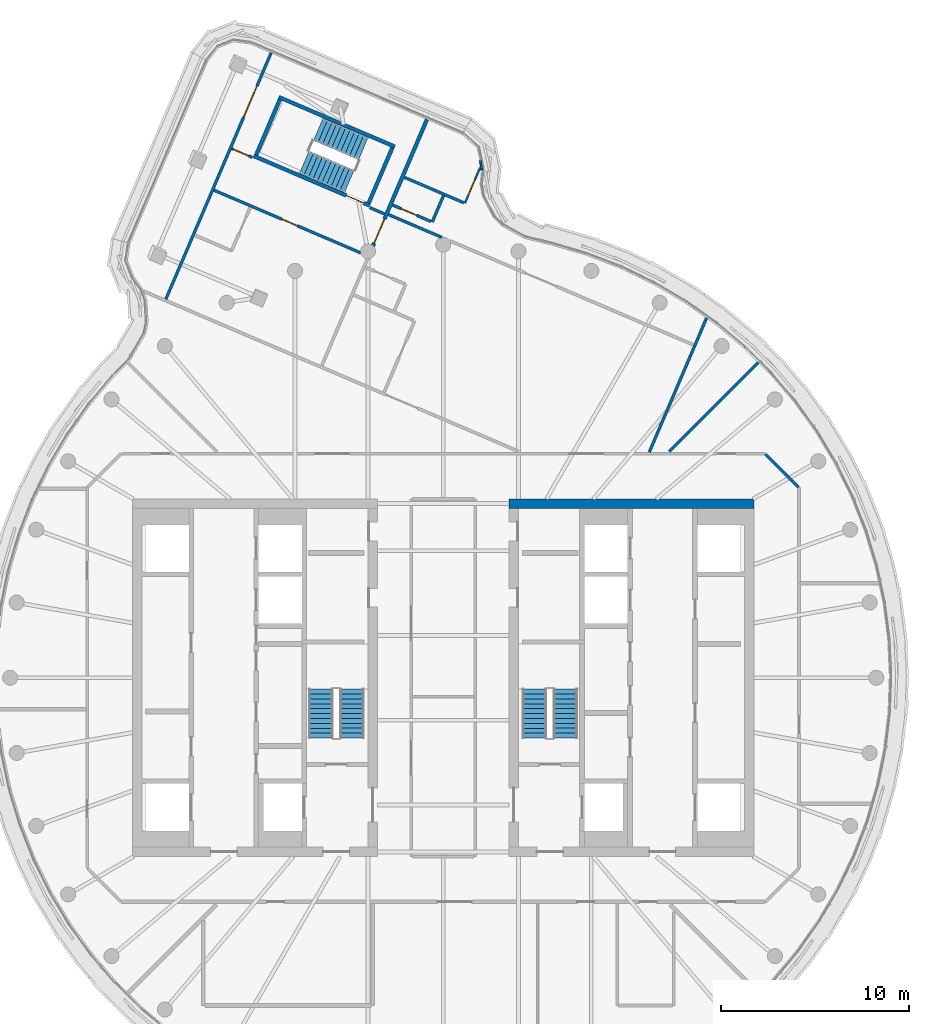
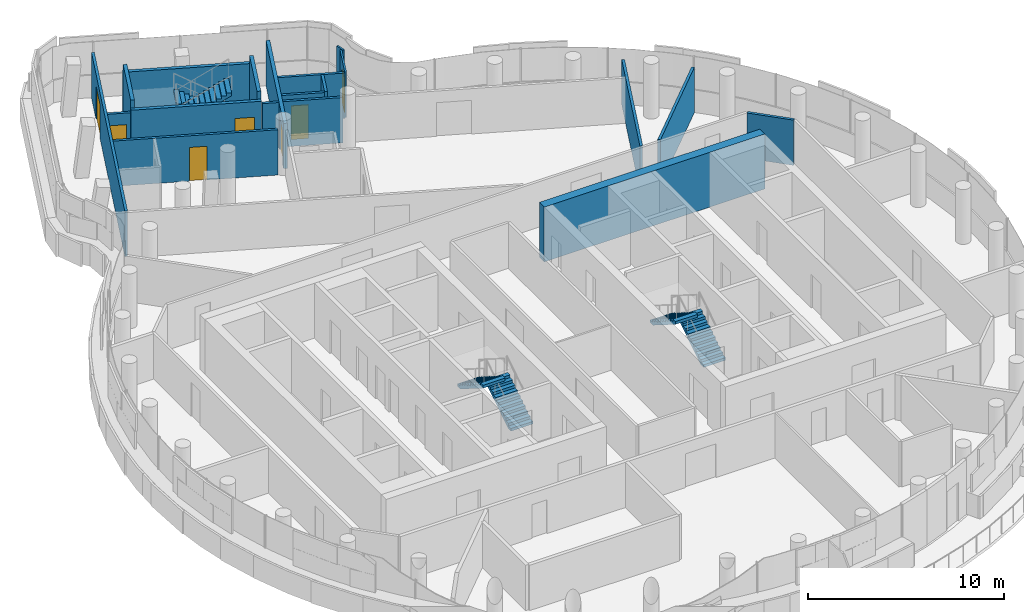
# One storey, part 15 of 20: 19 walls, 7 doors, 6 stair flights, 7 openings, 3 elements without a shape of their own.
"""IFC4 building model written with IfcOpenShell, lengths in metres."""

from ifc_helpers import new_model, si_unit, direction, frame, frame_2d, origin, place, context, subcontext, project, spatial, polyline, rectangle, outline, extrude, material, layer, layer_set, type_object, element, fill, aggregate, save


model = new_model("IFC4")

# Units and contexts
model_context = context("Model", 3, precision=1e-05, world=origin(), true_north=direction((0.0, 1.0)))
body_context = subcontext(model_context, "Body", "Model", "MODEL_VIEW")
ifc_project = project(units=[si_unit("LENGTHUNIT", "METRE"), si_unit("AREAUNIT", "SQUARE_METRE"), si_unit("VOLUMEUNIT", "CUBIC_METRE"), si_unit("PLANEANGLEUNIT", "RADIAN"), si_unit("MASSUNIT", "GRAM", prefix="KILO")], contexts=[model_context])

# Site, building, storey
site_placement = place(None, origin())
site = spatial("IfcSite", under=ifc_project, at=site_placement, CompositionType="ELEMENT")
building_placement = place(site_placement, origin())
building = spatial("IfcBuilding", under=site, at=building_placement, Name="Tamarind Cross Interchange Tower", CompositionType="ELEMENT")
storey_placement = place(building_placement, frame((0.0, 0.0, 274.800048828125)))
storey = spatial("IfcBuildingStorey", under=building, at=storey_placement, Name="L70", CompositionType="ELEMENT", Elevation=274.800048828125)

# Wall
ifc_material_1 = material(Name="Concrete C50", Category="concrete")
ifc_layer_1 = layer(ifc_material_1, 0.5)
ifc_layer_set_1 = layer_set([ifc_layer_1], Name="Concrete C50")
wall_type_1 = type_object("IfcWallType", Name="Core wall 500 mm Concrete C50", PredefinedType="SHEAR", material=ifc_layer_set_1)
wall_1_placement = place(storey_placement, frame((16.5, 9.25, 0.0), z_axis=(0.0, 0.0, 1.0), x_axis=(-1.0, 0.0, 0.0)))
element("IfcWall", 1, at=wall_1_placement, inside=storey, type_object=wall_type_1, Name="Core wall CWL-L70-E-NE", PredefinedType="SHEAR", context=body_context, shape_type="SweptSolid", body=[
    extrude(rectangle(XDim=13.0, YDim=0.5, at=frame_2d((6.5, 0.0))), origin(), (0.0, 0.0, 1.0), 3.419921875),
])

# Wall, opening, door
ifc_material_2 = material(Name="Gypsum board partition on steel studs", Category="steel")
ifc_layer_2 = layer(ifc_material_2, 0.10009765625)
ifc_layer_set_2 = layer_set([ifc_layer_2], Name="Gypsum board partition on steel studs")
wall_type_2 = type_object("IfcWallType", Name="Partition 100 mm EI 90", PredefinedType="PARTITIONING", material=ifc_layer_set_2)
wall_2_placement = place(storey_placement, frame((1.151611328125, 25.205078125, 0.0), z_axis=(0.0, 0.0, 1.0), x_axis=(0.392869839525, 0.919594089363, 0.0)))
wall_2 = element("IfcWall", 2, at=wall_2_placement, inside=storey, type_object=wall_type_2, Name="Partition L70-036", PredefinedType="PARTITIONING", context=body_context, shape_type="SweptSolid", body=[
    extrude(rectangle(XDim=2.050048828125, YDim=0.10009765625, at=frame_2d((1.02490234375, 0.0))), origin(), (0.0, 0.0, 1.0), 2.823974609375),
])
opening_1_placement = place(wall_2_placement, frame((0.449951171875, 0.0, 0.0)))
opening_1 = element("IfcOpeningElement", 3, at=opening_1_placement, cuts=wall_2, Name="Opening D20", PredefinedType="OPENING", context=body_context, shape_type="SweptSolid", body=[
    extrude(rectangle(XDim=0.89990234375, YDim=2.10009765625, at=frame_2d((0.449951171875, 1.050048828125))), frame((0.0, 0.06005859375, 0.0), z_axis=(0.0, -1.0, 0.0), x_axis=(1.0, 0.0, 0.0)), (0.0, 0.0, 1.0), 0.1201171875),
])
ifc_material_3 = material(Name="Fire-resisting door set")
door_type_1 = type_object("IfcDoorType", Name="Interior door 900 x 2100 FD60S", OperationType="SINGLE_SWING_LEFT", PredefinedType="DOOR", material=ifc_material_3)
door_1_placement = place(opening_1_placement, origin())
door_1 = element("IfcDoor", 4, at=door_1_placement, inside=storey, type_object=door_type_1, Name="Door D20", OperationType="SINGLE_SWING_RIGHT", OverallHeight=2.10009765625, OverallWidth=0.89990234375, PredefinedType="DOOR", context=body_context, shape_type="SweptSolid", body=[
    extrude(rectangle(XDim=0.89990234375, YDim=2.10009765625, at=frame_2d((0.449951171875, 1.050048828125))), frame((0.0, 0.02490234375, 0.0), z_axis=(0.0, -1.0, 0.0), x_axis=(1.0, 0.0, 0.0)), (0.0, 0.0, 1.0), 0.050048828125),
])
fill(opening_1, door_1)

# Walls
wall_3_placement = place(storey_placement, frame((2.05419921875, 26.972900390625, 0.0), z_axis=(0.0, 0.0, 1.0), x_axis=(-0.168516403879, 0.985698849357, 0.0)))
element("IfcWall", 5, at=wall_3_placement, inside=storey, type_object=wall_type_2, Name="Partition L70-049", PredefinedType="PARTITIONING", context=body_context, shape_type="SweptSolid", body=[
    extrude(rectangle(XDim=0.499755859375, YDim=0.10009765625, at=frame_2d((0.25, 0.0))), origin(), (0.0, 0.0, 1.0), 2.823974609375),
])
ifc_layer_3 = layer(ifc_material_2, 0.14990234375)
ifc_layer_set_3 = layer_set([ifc_layer_3], Name="Gypsum board partition on steel studs")
wall_type_3 = type_object("IfcWallType", Name="Partition 150 mm EI 120", PredefinedType="PARTITIONING", material=ifc_layer_set_3)
wall_4_placement = place(storey_placement, frame((17.12841796875, 11.87158203125, 0.0), z_axis=(0.0, 0.0, 1.0), x_axis=(0.707106781187, -0.707106781187, 0.0)))
element("IfcWall", 6, at=wall_4_placement, inside=storey, type_object=wall_type_3, Name="Partition L70-004", PredefinedType="PARTITIONING", context=body_context, shape_type="SweptSolid", body=[
    extrude(rectangle(XDim=2.465087890625, YDim=0.14990234375, at=frame_2d((1.232421875, 0.0))), origin(), (0.0, 0.0, 1.0), 2.823974609375),
])

# Wall, opening, door
wall_5_placement = place(storey_placement, frame((-12.173095703125, 25.8955078125, 0.0), z_axis=(0.0, 0.0, 1.0), x_axis=(0.919645111199, -0.392750390767, 0.0)))
wall_5 = element("IfcWall", 7, at=wall_5_placement, inside=storey, type_object=wall_type_3, Name="Partition L70-007", PredefinedType="PARTITIONING", context=body_context, shape_type="SweptSolid", body=[
    extrude(rectangle(XDim=8.471923828125, YDim=0.14990234375, at=frame_2d((4.23583984375, 0.0))), origin(), (0.0, 0.0, 1.0), 2.823974609375),
])
opening_2_placement = place(wall_5_placement, frame((3.9248046875, 0.0, 0.0)))
opening_2 = element("IfcOpeningElement", 8, at=opening_2_placement, cuts=wall_5, Name="Opening D02", PredefinedType="OPENING", context=body_context, shape_type="SweptSolid", body=[
    extrude(rectangle(XDim=0.89990234375, YDim=2.10009765625, at=frame_2d((0.449951171875, 1.050048828125))), frame((0.0, 0.0849609375, 0.0), z_axis=(0.0, -1.0, 0.0), x_axis=(1.0, 0.0, 0.0)), (0.0, 0.0, 1.0), 0.169921875),
])
door_2_placement = place(opening_2_placement, frame((0.89990234375, 0.0, 0.0), z_axis=(0.0, 0.0, 1.0), x_axis=(-1.0, 0.0, 0.0)))
door_2 = element("IfcDoor", 9, at=door_2_placement, inside=storey, type_object=door_type_1, Name="Door D02", OperationType="SINGLE_SWING_RIGHT", OverallHeight=2.10009765625, OverallWidth=0.89990234375, PredefinedType="DOOR", context=body_context, shape_type="SweptSolid", body=[
    extrude(rectangle(XDim=0.89990234375, YDim=2.10009765625, at=frame_2d((0.449951171875, 1.050048828125))), frame((0.0, 0.02490234375, 0.0), z_axis=(0.0, -1.0, 0.0), x_axis=(1.0, 0.0, 0.0)), (0.0, 0.0, 1.0), 0.050048828125),
])
fill(opening_2, door_2)

wall_6_placement = place(storey_placement, frame((-11.22998046875, 28.1025390625, 0.0), z_axis=(0.0, 0.0, 1.0), x_axis=(0.919613431155, -0.392824562927, 0.0)))
wall_6 = element("IfcWall", 10, at=wall_6_placement, inside=storey, type_object=wall_type_3, Name="Partition L70-008", PredefinedType="PARTITIONING", context=body_context, shape_type="SweptSolid", body=[
    extrude(rectangle(XDim=1.1845703125, YDim=0.14990234375, at=frame_2d((0.59228515625, 0.0))), origin(), (0.0, 0.0, 1.0), 2.823974609375),
])
opening_3_placement = place(wall_6_placement, frame((0.074951171875, 0.0, 0.0)))
opening_3 = element("IfcOpeningElement", 11, at=opening_3_placement, cuts=wall_6, Name="Opening D03", PredefinedType="OPENING", context=body_context, shape_type="SweptSolid", body=[
    extrude(rectangle(XDim=0.89990234375, YDim=2.10009765625, at=frame_2d((0.449951171875, 1.050048828125))), frame((0.0, 0.0849609375, 0.0), z_axis=(0.0, -1.0, 0.0), x_axis=(1.0, 0.0, 0.0)), (0.0, 0.0, 1.0), 0.169921875),
])
door_3_placement = place(opening_3_placement, origin())
door_3 = element("IfcDoor", 12, at=door_3_placement, inside=storey, type_object=door_type_1, Name="Door D03", OperationType="SINGLE_SWING_RIGHT", OverallHeight=2.10009765625, OverallWidth=0.89990234375, PredefinedType="DOOR", context=body_context, shape_type="SweptSolid", body=[
    extrude(rectangle(XDim=0.89990234375, YDim=2.10009765625, at=frame_2d((0.449951171875, 1.050048828125))), frame((0.0, 0.02490234375, 0.0), z_axis=(0.0, -1.0, 0.0), x_axis=(1.0, 0.0, 0.0)), (0.0, 0.0, 1.0), 0.050048828125),
])
fill(opening_3, door_3)

# Walls
wall_7_placement = place(storey_placement, frame((-3.905517578125, 24.97314453125, 0.0), z_axis=(0.0, 0.0, 1.0), x_axis=(0.919526501885, -0.393028004512, 0.0)))
element("IfcWall", 13, at=wall_7_placement, inside=storey, type_object=wall_type_3, Name="Partition L70-009", PredefinedType="PARTITIONING", context=body_context, shape_type="SweptSolid", body=[
    extrude(rectangle(XDim=0.859619140625, YDim=0.14990234375, at=frame_2d((0.4296875, 0.0))), origin(), (0.0, 0.0, 1.0), 2.823974609375),
])
wall_8_placement = place(storey_placement, frame((-2.910888671875, 24.602783203125, 0.0), z_axis=(0.0, 0.0, 1.0), x_axis=(0.919582336427, -0.392897348593, 0.0)))
element("IfcWall", 14, at=wall_8_placement, inside=storey, type_object=wall_type_3, Name="Partition L70-012", PredefinedType="PARTITIONING", context=body_context, shape_type="SweptSolid", body=[
    extrude(rectangle(XDim=3.085693359375, YDim=0.14990234375, at=frame_2d((1.54296875, 0.0))), origin(), (0.0, 0.0, 1.0), 2.823974609375),
])

# Wall, opening, door
wall_9_placement = place(storey_placement, frame((-2.695068359375, 25.108642578125, 0.0), z_axis=(0.0, 0.0, 1.0), x_axis=(0.919571099673, -0.392923647349, 0.0)))
wall_9 = element("IfcWall", 15, at=wall_9_placement, inside=storey, type_object=wall_type_3, Name="Partition L70-014", PredefinedType="PARTITIONING", context=body_context, shape_type="SweptSolid", body=[
    extrude(rectangle(XDim=2.219970703125, YDim=0.14990234375, at=frame_2d((1.10986328125, 0.0))), origin(), (0.0, 0.0, 1.0), 2.823974609375),
])
opening_4_placement = place(wall_9_placement, frame((0.5, 0.0, 0.0)))
opening_4 = element("IfcOpeningElement", 16, at=opening_4_placement, cuts=wall_9, Name="Opening D06", PredefinedType="OPENING", context=body_context, shape_type="SweptSolid", body=[
    extrude(rectangle(XDim=0.89990234375, YDim=2.10009765625, at=frame_2d((0.449951171875, 1.050048828125))), frame((0.0, 0.0849609375, 0.0), z_axis=(0.0, -1.0, 0.0), x_axis=(1.0, 0.0, 0.0)), (0.0, 0.0, 1.0), 0.169921875),
])
door_4_placement = place(opening_4_placement, origin())
door_4 = element("IfcDoor", 17, at=door_4_placement, inside=storey, type_object=door_type_1, Name="Door D06", OperationType="SINGLE_SWING_RIGHT", OverallHeight=2.10009765625, OverallWidth=0.89990234375, PredefinedType="DOOR", context=body_context, shape_type="SweptSolid", body=[
    extrude(rectangle(XDim=0.89990234375, YDim=2.10009765625, at=frame_2d((0.449951171875, 1.050048828125))), frame((0.0, 0.02490234375, 0.0), z_axis=(0.0, -1.0, 0.0), x_axis=(1.0, 0.0, 0.0)), (0.0, 0.0, 1.0), 0.050048828125),
])
fill(opening_4, door_4)

# Walls
wall_10_placement = place(storey_placement, frame((-2.0625, 26.57861328125, 0.0), z_axis=(0.0, 0.0, 1.0), x_axis=(0.919588532032, -0.392882847366, 0.0)))
element("IfcWall", 18, at=wall_10_placement, inside=storey, type_object=wall_type_3, Name="Partition L70-015", PredefinedType="PARTITIONING", context=body_context, shape_type="SweptSolid", body=[
    extrude(rectangle(XDim=3.440673828125, YDim=0.14990234375, at=frame_2d((1.72021484375, 0.0))), origin(), (0.0, 0.0, 1.0), 2.823974609375),
])
wall_11_placement = place(storey_placement, frame((12.009521484375, 12.009521484375, 0.0), z_axis=(0.0, 0.0, 1.0), x_axis=(0.707106781187, 0.707106781187, 0.0)))
element("IfcWall", 19, at=wall_11_placement, inside=storey, type_object=wall_type_3, Name="Partition L70-029", PredefinedType="PARTITIONING", context=body_context, shape_type="SweptSolid", body=[
    extrude(rectangle(XDim=6.690673828125, YDim=0.14990234375, at=frame_2d((3.34521484375, 0.0))), origin(), (0.0, 0.0, 1.0), 2.823974609375),
])

# Wall, opening, door
wall_12_placement = place(storey_placement, frame((-14.7275390625, 20.10888671875, 0.0), z_axis=(0.0, 0.0, 1.0), x_axis=(0.392937170338, 0.919565321316, 0.0)))
wall_12 = element("IfcWall", 20, at=wall_12_placement, inside=storey, type_object=wall_type_3, Name="Partition L70-031", PredefinedType="PARTITIONING", context=body_context, shape_type="SweptSolid", body=[
    extrude(rectangle(XDim=14.223876953125, YDim=0.14990234375, at=frame_2d((7.11181640625, 0.0))), origin(), (0.0, 0.0, 1.0), 2.823974609375),
])
opening_5_placement = place(wall_12_placement, frame((10.52490234375, 0.0, 0.0)))
opening_5 = element("IfcOpeningElement", 21, at=opening_5_placement, cuts=wall_12, Name="Opening D16", PredefinedType="OPENING", context=body_context, shape_type="SweptSolid", body=[
    extrude(rectangle(XDim=1.800048828125, YDim=2.10009765625, at=frame_2d((0.89990234375, 1.050048828125))), frame((0.0, 0.0849609375, 0.0), z_axis=(0.0, -1.0, 0.0), x_axis=(1.0, 0.0, 0.0)), (0.0, 0.0, 1.0), 0.169921875),
])
door_type_2 = type_object("IfcDoorType", Name="Interior door 1800 x 2100 FD60S", OperationType="DOUBLE_DOOR_SINGLE_SWING", PredefinedType="DOOR", material=ifc_material_3)
door_5_placement = place(opening_5_placement, origin())
door_5 = element("IfcDoor", 22, at=door_5_placement, inside=storey, type_object=door_type_2, Name="Door D16", OperationType="DOUBLE_DOOR_SINGLE_SWING", OverallHeight=2.10009765625, OverallWidth=1.800048828125, PredefinedType="DOOR", context=body_context, shape_type="SweptSolid", body=[
    extrude(rectangle(XDim=1.800048828125, YDim=2.10009765625, at=frame_2d((0.89990234375, 1.050048828125))), frame((0.0, 0.02490234375, 0.0), z_axis=(0.0, -1.0, 0.0), x_axis=(1.0, 0.0, 0.0)), (0.0, 0.0, 1.0), 0.050048828125),
])
fill(opening_5, door_5)

# Walls
wall_13_placement = place(storey_placement, frame((-0.58251953125, 24.2060546875, 0.0), z_axis=(0.0, 0.0, 1.0), x_axis=(0.392489240169, 0.919756596253, 0.0)))
element("IfcWall", 23, at=wall_13_placement, inside=storey, type_object=wall_type_3, Name="Partition L70-038", PredefinedType="PARTITIONING", context=body_context, shape_type="SweptSolid", body=[
    extrude(rectangle(XDim=1.525146484375, YDim=0.14990234375, at=frame_2d((0.7626953125, 0.0))), origin(), (0.0, 0.0, 1.0), 2.823974609375),
])
wall_14_placement = place(storey_placement, frame((10.9462890625, 11.9873046875, 0.0), z_axis=(0.0, 0.0, 1.0), x_axis=(0.392849254325, 0.919602883519, 0.0)))
element("IfcWall", 24, at=wall_14_placement, inside=storey, type_object=wall_type_3, Name="Partition L70-039", PredefinedType="PARTITIONING", context=body_context, shape_type="SweptSolid", body=[
    extrude(rectangle(XDim=7.73974609375, YDim=0.14990234375, at=frame_2d((3.869873046875, 0.0))), origin(), (0.0, 0.0, 1.0), 2.823974609375),
])

# Wall, opening, door
ifc_layer_4 = layer(ifc_material_2, 0.199951171875)
ifc_layer_set_4 = layer_set([ifc_layer_4], Name="Gypsum board partition on steel studs")
wall_type_4 = type_object("IfcWallType", Name="Partition 200 mm EI 180", PredefinedType="PARTITIONING", material=ifc_layer_set_4)
wall_15_placement = place(storey_placement, frame((-3.788330078125, 22.803955078125, 0.0), z_axis=(0.0, 0.0, 1.0), x_axis=(0.392862746148, 0.91959711977, 0.0)))
wall_15 = element("IfcWall", 25, at=wall_15_placement, inside=storey, type_object=wall_type_4, Name="Partition L70-034", PredefinedType="PARTITIONING", context=body_context, shape_type="SweptSolid", body=[
    extrude(rectangle(XDim=7.447998046875, YDim=0.199951171875, at=frame_2d((3.72412109375, 0.0))), origin(), (0.0, 0.0, 1.0), 2.823974609375),
])
opening_6_placement = place(wall_15_placement, frame((0.303466796875, 0.0, 0.0)))
opening_6 = element("IfcOpeningElement", 26, at=opening_6_placement, cuts=wall_15, Name="Opening D18", PredefinedType="OPENING", context=body_context, shape_type="SweptSolid", body=[
    extrude(rectangle(XDim=1.39990234375, YDim=2.10009765625, at=frame_2d((0.699951171875, 1.050048828125))), frame((0.0, 0.10986328125, 0.0), z_axis=(0.0, -1.0, 0.0), x_axis=(1.0, 0.0, 0.0)), (0.0, 0.0, 1.0), 0.219970703125),
])
door_type_3 = type_object("IfcDoorType", Name="Interior door 1400 x 2100 FD120S", OperationType="DOUBLE_DOOR_SINGLE_SWING", PredefinedType="DOOR", material=ifc_material_3)
door_6_placement = place(opening_6_placement, frame((1.39990234375, 0.0, 0.0), z_axis=(0.0, 0.0, 1.0), x_axis=(-1.0, 0.0, 0.0)))
door_6 = element("IfcDoor", 27, at=door_6_placement, inside=storey, type_object=door_type_3, Name="Door D18", OperationType="DOUBLE_DOOR_SINGLE_SWING", OverallHeight=2.10009765625, OverallWidth=1.39990234375, PredefinedType="DOOR", context=body_context, shape_type="SweptSolid", body=[
    extrude(rectangle(XDim=1.39990234375, YDim=2.10009765625, at=frame_2d((0.699951171875, 1.050048828125))), frame((0.0, 0.02490234375, 0.0), z_axis=(0.0, -1.0, 0.0), x_axis=(1.0, 0.0, 0.0)), (0.0, 0.0, 1.0), 0.050048828125),
])
fill(opening_6, door_6)

ifc_material_4 = material(Name="Concrete C40", Category="concrete")
ifc_layer_5 = layer(ifc_material_4, 0.199951171875)
ifc_layer_set_5 = layer_set([ifc_layer_5], Name="Concrete C40")
wall_type_5 = type_object("IfcWallType", Name="Stair shaft wall 200 mm Concrete C40", PredefinedType="SHEAR", material=ifc_layer_set_5)
wall_16_placement = place(storey_placement, frame((-3.9033203125, 25.081298828125, -0.14013671875), z_axis=(0.0, 0.0, 1.0), x_axis=(-0.919604285577, 0.392845972295, 0.0)))
wall_16 = element("IfcWall", 28, at=wall_16_placement, inside=storey, type_object=wall_type_5, Name="Core wall CWL-L70-ST4-H", PredefinedType="SHEAR", context=body_context, shape_type="SweptSolid", body=[
    extrude(rectangle(XDim=6.699951171875, YDim=0.199951171875, at=frame_2d((3.35009765625, 0.0))), origin(), (0.0, 0.0, 1.0), 3.064208984375),
])
opening_7_placement = place(wall_16_placement, frame((0.35009765625, 0.0, 0.0)))
opening_7 = element("IfcOpeningElement", 29, at=opening_7_placement, cuts=wall_16, Name="Opening ST4L70", PredefinedType="OPENING", context=body_context, shape_type="SweptSolid", body=[
    extrude(rectangle(XDim=1.0, YDim=2.10009765625, at=frame_2d((0.5, 1.050048828125))), frame((0.0, 0.10986328125, 0.0), z_axis=(0.0, -1.0, 0.0), x_axis=(1.0, 0.0, 0.0)), (0.0, 0.0, 1.0), 0.219970703125),
])
ifc_material_5 = material(Name="Steel, fire-resisting", Category="steel")
door_type_4 = type_object("IfcDoorType", Name="Core fire door 1000 x 2100 FD90", OperationType="SINGLE_SWING_LEFT", PredefinedType="DOOR", material=ifc_material_5)
door_7_placement = place(opening_7_placement, origin())
door_7 = element("IfcDoor", 30, at=door_7_placement, inside=storey, type_object=door_type_4, Name="L70 stair door ST4", OperationType="SINGLE_SWING_LEFT", OverallHeight=2.10009765625, OverallWidth=1.0, PredefinedType="DOOR", context=body_context, shape_type="SweptSolid", body=[
    extrude(rectangle(XDim=1.0, YDim=2.10009765625, at=frame_2d((0.5, 1.050048828125))), frame((0.0, 0.02490234375, 0.0), z_axis=(0.0, -1.0, 0.0), x_axis=(1.0, 0.0, 0.0)), (0.0, 0.0, 1.0), 0.050048828125),
])
fill(opening_7, door_7)

# Walls
wall_17_placement = place(storey_placement, frame((-2.567626953125, 28.2080078125, -0.14013671875), z_axis=(0.0, 0.0, 1.0), x_axis=(-0.919604285577, 0.392845972295, 0.0)))
element("IfcWall", 31, at=wall_17_placement, inside=storey, type_object=wall_type_5, Name="Core wall CWL-L70-ST4-C", PredefinedType="SHEAR", context=body_context, shape_type="SweptSolid", body=[
    extrude(rectangle(XDim=6.699951171875, YDim=0.199951171875, at=frame_2d((3.35009765625, 0.0))), origin(), (0.0, 0.0, 1.0), 3.064208984375),
])
wall_18_placement = place(storey_placement, frame((-2.698974609375, 28.1552734375, -0.14013671875), z_axis=(0.0, 0.0, 1.0), x_axis=(-0.392823319404, -0.919613962341, 0.0)))
element("IfcWall", 32, at=wall_18_placement, inside=storey, type_object=wall_type_5, Name="Core wall CWL-L70-ST4-CE", PredefinedType="SHEAR", context=body_context, shape_type="SweptSolid", body=[
    extrude(rectangle(XDim=3.2001953125, YDim=0.199951171875, at=frame_2d((1.60009765625, 0.0))), origin(), (0.0, 0.0, 1.0), 3.56005859375),
])
wall_19_placement = place(storey_placement, frame((0.0, 0.0, -0.14013671875)))
element("IfcWall", 33, at=wall_19_placement, inside=storey, type_object=wall_type_5, Name="Core wall CWL-L70-ST4-CF", PredefinedType="SHEAR", context=body_context, shape_type="SweptSolid", body=[
    extrude(outline(polyline([(-8.584228515625, 30.66943359375), (-8.768310546875, 30.748046875), (-10.025390625, 27.805419921875), (-9.84130859375, 27.726806640625), (-8.584228515625, 30.66943359375)])), origin(), (0.0, 0.0, 1.0), 3.56005859375),
])

# Stair, stair flights
ifc_material_6 = material(Name="Exit stair")
stair_type = type_object("IfcStairType", Name="Exit stair", PredefinedType="HALF_TURN_STAIR", material=ifc_material_6)
stair_1_placement = place(storey_placement, origin())
stair_1 = element("IfcStair", 34, at=stair_1_placement, inside=storey, type_object=stair_type, Name="L70 exit stair ST1", PredefinedType="HALF_TURN_STAIR")
ifc_material_7 = material(Name="Exit stair flight")
stair_flight_type = type_object("IfcStairFlightType", Name="Exit stair flight", PredefinedType="STRAIGHT", material=ifc_material_7)
stair_flight_1_placement = place(storey_placement, frame((-4.85009765625, -3.199951171875, 0.0), z_axis=(0.0, 0.0, 1.0), x_axis=(0.0, 1.0, 0.0)))
stair_flight_1 = element("IfcStairFlight", 35, at=stair_flight_1_placement, type_object=stair_flight_type, Name="ST1 flight 1", NumberOfRisers=11, NumberOfTreads=10, PredefinedType="STRAIGHT", RiserHeight=0.163636364, TreadLength=0.26, context=body_context, shape_type="SweptSolid", body=[
    extrude(outline(polyline([(0.0, 0.0), (0.0, 0.16357421875), (0.260009765625, 0.16357421875), (0.260009765625, 0.327392578125), (0.52001953125, 0.327392578125), (0.52001953125, 0.490966796875), (0.780029296875, 0.490966796875), (0.780029296875, 0.654541015625), (1.0400390625, 0.654541015625), (1.0400390625, 0.818115234375), (1.300048828125, 0.818115234375), (1.300048828125, 0.98193359375), (1.56005859375, 0.98193359375), (1.56005859375, 1.1455078125), (1.820068359375, 1.1455078125), (1.820068359375, 1.30908203125), (2.080078125, 1.30908203125), (2.080078125, 1.47265625), (2.340087890625, 1.47265625), (2.340087890625, 1.636474609375), (2.60009765625, 1.636474609375), (2.60009765625, 1.800048828125), (2.60009765625, 1.459228515625), (0.281494140625, 0.0), (0.0, 0.0)])), frame((0.0, 0.64990234375, 0.0), z_axis=(0.0, -1.0, 0.0), x_axis=(1.0, 0.0, 0.0)), (0.0, 0.0, 1.0), 1.300048828125),
])
stair_flight_2_placement = place(storey_placement, frame((-6.5, -0.60009765625, 1.800048828125), z_axis=(0.0, 0.0, 1.0), x_axis=(0.0, -1.0, 0.0)))
stair_flight_2 = element("IfcStairFlight", 36, at=stair_flight_2_placement, type_object=stair_flight_type, Name="ST1 flight 2", NumberOfRisers=11, NumberOfTreads=10, PredefinedType="STRAIGHT", RiserHeight=0.163636364, TreadLength=0.26, context=body_context, shape_type="SweptSolid", body=[
    extrude(outline(polyline([(0.0, 0.0), (0.0, 0.16357421875), (0.260009765625, 0.16357421875), (0.260009765625, 0.327392578125), (0.52001953125, 0.327392578125), (0.52001953125, 0.490966796875), (0.780029296875, 0.490966796875), (0.780029296875, 0.654541015625), (1.0400390625, 0.654541015625), (1.0400390625, 0.818115234375), (1.300048828125, 0.818115234375), (1.300048828125, 0.98193359375), (1.56005859375, 0.98193359375), (1.56005859375, 1.1455078125), (1.820068359375, 1.1455078125), (1.820068359375, 1.30908203125), (2.080078125, 1.30908203125), (2.080078125, 1.47265625), (2.340087890625, 1.47265625), (2.340087890625, 1.636474609375), (2.60009765625, 1.636474609375), (2.60009765625, 1.800048828125), (2.60009765625, 1.459228515625), (0.281494140625, 0.0), (0.0, 0.0)])), frame((0.0, 0.64990234375, 0.0), z_axis=(0.0, -1.0, 0.0), x_axis=(1.0, 0.0, 0.0)), (0.0, 0.0, 1.0), 1.300048828125),
])
aggregate(stair_1, [stair_flight_1, stair_flight_2])

stair_2_placement = place(storey_placement, origin())
stair_2 = element("IfcStair", 37, at=stair_2_placement, inside=storey, type_object=stair_type, Name="L70 exit stair ST2", PredefinedType="HALF_TURN_STAIR")
stair_flight_3_placement = place(storey_placement, frame((6.5, -3.199951171875, 0.0), z_axis=(0.0, 0.0, 1.0), x_axis=(0.0, 1.0, 0.0)))
stair_flight_3 = element("IfcStairFlight", 38, at=stair_flight_3_placement, type_object=stair_flight_type, Name="ST2 flight 1", NumberOfRisers=11, NumberOfTreads=10, PredefinedType="STRAIGHT", RiserHeight=0.163636364, TreadLength=0.26, context=body_context, shape_type="SweptSolid", body=[
    extrude(outline(polyline([(0.0, 0.0), (0.0, 0.16357421875), (0.260009765625, 0.16357421875), (0.260009765625, 0.327392578125), (0.52001953125, 0.327392578125), (0.52001953125, 0.490966796875), (0.780029296875, 0.490966796875), (0.780029296875, 0.654541015625), (1.0400390625, 0.654541015625), (1.0400390625, 0.818115234375), (1.300048828125, 0.818115234375), (1.300048828125, 0.98193359375), (1.56005859375, 0.98193359375), (1.56005859375, 1.1455078125), (1.820068359375, 1.1455078125), (1.820068359375, 1.30908203125), (2.080078125, 1.30908203125), (2.080078125, 1.47265625), (2.340087890625, 1.47265625), (2.340087890625, 1.636474609375), (2.60009765625, 1.636474609375), (2.60009765625, 1.800048828125), (2.60009765625, 1.459228515625), (0.281494140625, 0.0), (0.0, 0.0)])), frame((0.0, 0.64990234375, 0.0), z_axis=(0.0, -1.0, 0.0), x_axis=(1.0, 0.0, 0.0)), (0.0, 0.0, 1.0), 1.300048828125),
])
stair_flight_4_placement = place(storey_placement, frame((4.85009765625, -0.60009765625, 1.800048828125), z_axis=(0.0, 0.0, 1.0), x_axis=(0.0, -1.0, 0.0)))
stair_flight_4 = element("IfcStairFlight", 39, at=stair_flight_4_placement, type_object=stair_flight_type, Name="ST2 flight 2", NumberOfRisers=11, NumberOfTreads=10, PredefinedType="STRAIGHT", RiserHeight=0.163636364, TreadLength=0.26, context=body_context, shape_type="SweptSolid", body=[
    extrude(outline(polyline([(0.0, 0.0), (0.0, 0.16357421875), (0.260009765625, 0.16357421875), (0.260009765625, 0.327392578125), (0.52001953125, 0.327392578125), (0.52001953125, 0.490966796875), (0.780029296875, 0.490966796875), (0.780029296875, 0.654541015625), (1.0400390625, 0.654541015625), (1.0400390625, 0.818115234375), (1.300048828125, 0.818115234375), (1.300048828125, 0.98193359375), (1.56005859375, 0.98193359375), (1.56005859375, 1.1455078125), (1.820068359375, 1.1455078125), (1.820068359375, 1.30908203125), (2.080078125, 1.30908203125), (2.080078125, 1.47265625), (2.340087890625, 1.47265625), (2.340087890625, 1.636474609375), (2.60009765625, 1.636474609375), (2.60009765625, 1.800048828125), (2.60009765625, 1.459228515625), (0.281494140625, 0.0), (0.0, 0.0)])), frame((0.0, 0.64990234375, 0.0), z_axis=(0.0, -1.0, 0.0), x_axis=(1.0, 0.0, 0.0)), (0.0, 0.0, 1.0), 1.300048828125),
])
aggregate(stair_2, [stair_flight_3, stair_flight_4])

stair_3_placement = place(storey_placement, origin())
stair_3 = element("IfcStair", 40, at=stair_3_placement, inside=storey, type_object=stair_type, Name="L70 exit stair ST4", PredefinedType="HALF_TURN_STAIR")
stair_flight_5_placement = place(storey_placement, frame((-4.24169921875, 28.107421875, 0.0), z_axis=(0.0, 0.0, 1.0), x_axis=(-0.91959674617, 0.392863620655, 0.0)))
stair_flight_5 = element("IfcStairFlight", 41, at=stair_flight_5_placement, type_object=stair_flight_type, Name="ST4 flight 1", NumberOfRisers=11, NumberOfTreads=10, PredefinedType="STRAIGHT", RiserHeight=0.163636364, TreadLength=0.26, context=body_context, shape_type="SweptSolid", body=[
    extrude(outline(polyline([(0.0, 0.0), (0.0, 0.16357421875), (0.260009765625, 0.16357421875), (0.260009765625, 0.327392578125), (0.52001953125, 0.327392578125), (0.52001953125, 0.490966796875), (0.780029296875, 0.490966796875), (0.780029296875, 0.654541015625), (1.0400390625, 0.654541015625), (1.0400390625, 0.818115234375), (1.300048828125, 0.818115234375), (1.300048828125, 0.98193359375), (1.56005859375, 0.98193359375), (1.56005859375, 1.1455078125), (1.820068359375, 1.1455078125), (1.820068359375, 1.30908203125), (2.080078125, 1.30908203125), (2.080078125, 1.47265625), (2.340087890625, 1.47265625), (2.340087890625, 1.636474609375), (2.60009765625, 1.636474609375), (2.60009765625, 1.800048828125), (2.60009765625, 1.459228515625), (0.281494140625, 0.0), (0.0, 0.0)])), frame((0.0, 0.64990234375, 0.0), z_axis=(0.0, -1.0, 0.0), x_axis=(1.0, 0.0, 0.0)), (0.0, 0.0, 1.0), 1.300048828125),
])
stair_flight_6_placement = place(storey_placement, frame((-7.379150390625, 27.381591796875, 1.800048828125), z_axis=(0.0, 0.0, 1.0), x_axis=(0.91959674617, -0.392863620655, 0.0)))
stair_flight_6 = element("IfcStairFlight", 42, at=stair_flight_6_placement, type_object=stair_flight_type, Name="ST4 flight 2", NumberOfRisers=11, NumberOfTreads=10, PredefinedType="STRAIGHT", RiserHeight=0.163636364, TreadLength=0.26, context=body_context, shape_type="SweptSolid", body=[
    extrude(outline(polyline([(0.0, 0.0), (0.0, 0.16357421875), (0.260009765625, 0.16357421875), (0.260009765625, 0.327392578125), (0.52001953125, 0.327392578125), (0.52001953125, 0.490966796875), (0.780029296875, 0.490966796875), (0.780029296875, 0.654541015625), (1.0400390625, 0.654541015625), (1.0400390625, 0.818115234375), (1.300048828125, 0.818115234375), (1.300048828125, 0.98193359375), (1.56005859375, 0.98193359375), (1.56005859375, 1.1455078125), (1.820068359375, 1.1455078125), (1.820068359375, 1.30908203125), (2.080078125, 1.30908203125), (2.080078125, 1.47265625), (2.340087890625, 1.47265625), (2.340087890625, 1.636474609375), (2.60009765625, 1.636474609375), (2.60009765625, 1.800048828125), (2.60009765625, 1.459228515625), (0.281494140625, 0.0), (0.0, 0.0)])), frame((0.0, 0.64990234375, 0.0), z_axis=(0.0, -1.0, 0.0), x_axis=(1.0, 0.0, 0.0)), (0.0, 0.0, 1.0), 1.300048828125),
])
aggregate(stair_3, [stair_flight_5, stair_flight_6])

save(model, "model.ifc")
